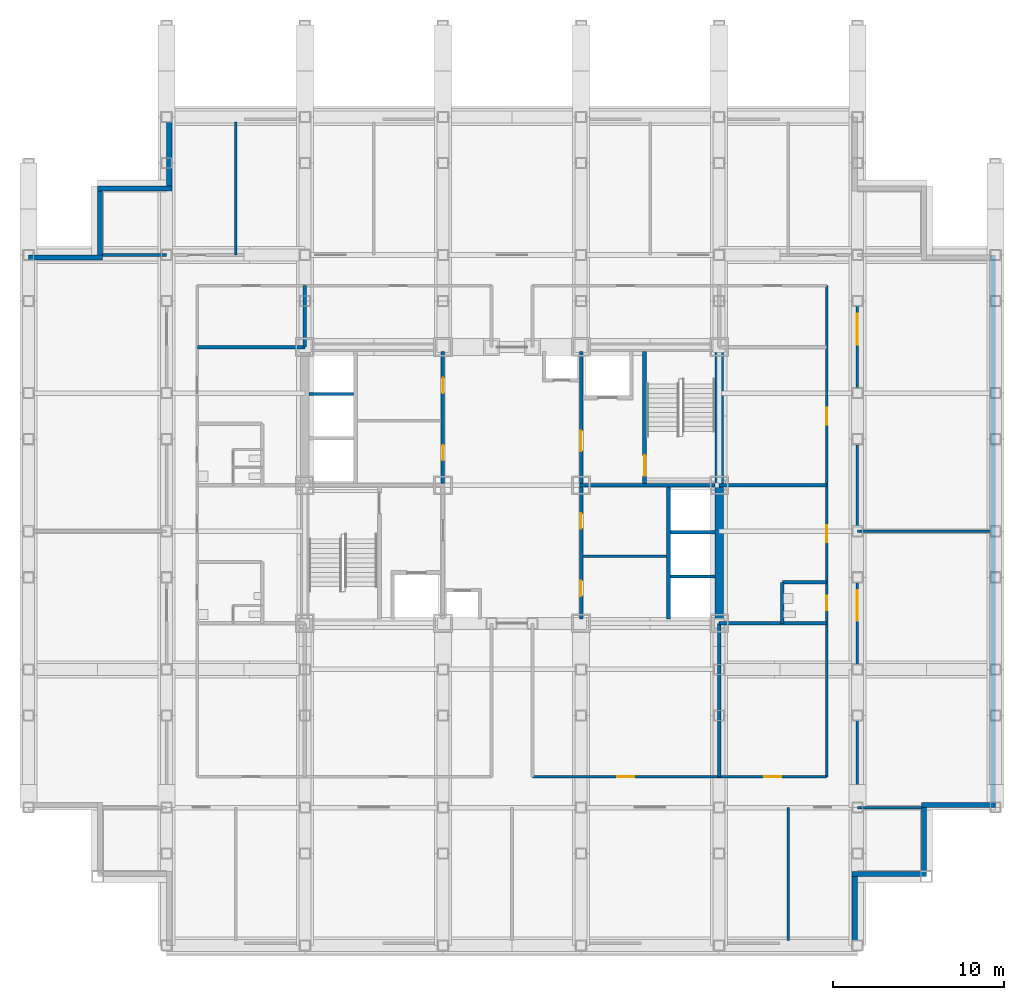
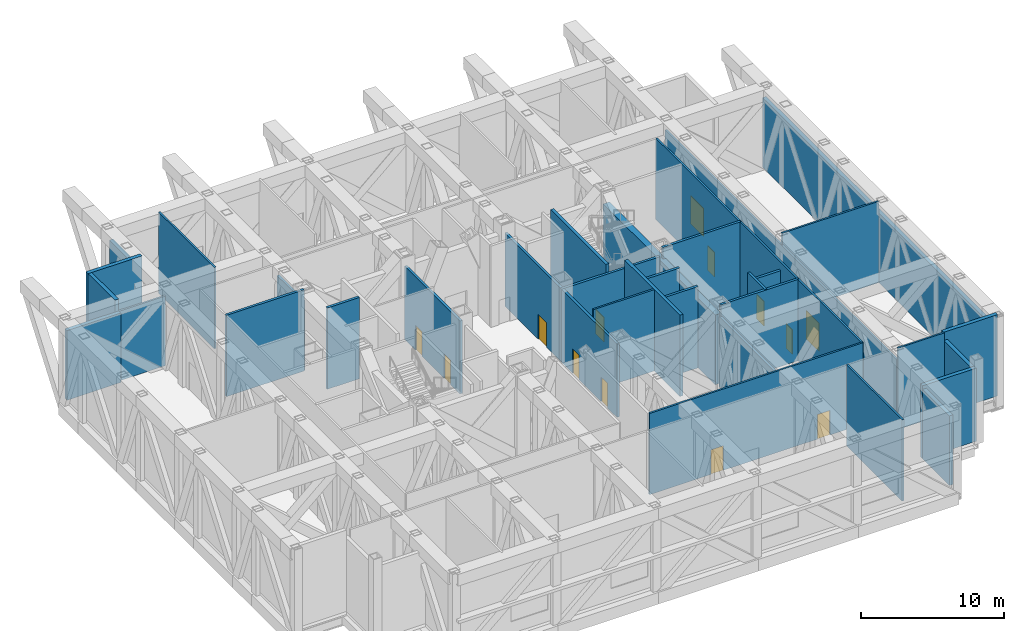
# One storey, part 9 of 13: 35 walls, 13 doors, 13 openings.
"""IFC4 building model written with IfcOpenShell, lengths in metres."""

import ifcopenshell
import ifcopenshell.guid

model = None  # the IFC model being written
_history = None  # IfcOwnerHistory: only IFC2X3 demands one
_inside = {}  # id of a spatial element -> (the spatial element, [elements in it])
_under = {}  # id of a project, library or spatial element -> (it, [spatial elements below it])
_declared = {}  # id of a project -> (the project, [libraries it declares])
_typed = {}  # id of a type object -> (the type object, [elements of that type])
_made_of = {}  # id of a material, layer set ... -> (it, [elements and type objects made of it])


def new_model(schema):
    """Start an empty IFC model of exactly this schema.

    Asked for "IFC4X3", IfcOpenShell would pick the latest addendum, in which some entities
    have other attributes; the version numbers below select the first issue.
    IFC2X3 requires an IfcOwnerHistory on every rooted entity: one is made here for all.
    """
    global model, _history
    if schema == "IFC4X3":
        model = ifcopenshell.file(schema_version=(4, 3, 0, 0))
    else:
        model = ifcopenshell.file(schema=schema)
    _inside.clear()
    _under.clear()
    _declared.clear()
    _typed.clear()
    _made_of.clear()
    _history = None
    if model.schema == "IFC2X3":
        org = make("IfcOrganization", Name="unknown")
        user = make(
            "IfcPersonAndOrganization",
            ThePerson=make("IfcPerson", FamilyName="unknown"),
            TheOrganization=org,
        )
        app = make(
            "IfcApplication",
            ApplicationDeveloper=org,
            Version="unknown",
            ApplicationFullName="unknown",
            ApplicationIdentifier="unknown",
        )
        _history = make(
            "IfcOwnerHistory",
            OwningUser=user,
            OwningApplication=app,
            ChangeAction="ADDED",
            CreationDate=0,
        )
    return model


def make(cls, **values):
    """One entity of the class cls with the attributes given. An attribute that is None is left unset."""
    return model.create_entity(
        cls, **{name: value for name, value in values.items() if value is not None}
    )


def rooted(cls, **values):
    """An entity with a GlobalId (a new one), such as an element, a storey or a relation."""
    return make(cls, GlobalId=ifcopenshell.guid.new(), OwnerHistory=_history, **values)


def si_unit(unit_type, name, prefix=None):
    """IfcSIUnit, for example si_unit("LENGTHUNIT", "METRE", prefix="MILLI")."""
    return make("IfcSIUnit", UnitType=unit_type, Prefix=prefix, Name=name)


def assignment(units):
    """IfcUnitAssignment: the units of a project."""
    return None if units is None else make("IfcUnitAssignment", Units=units)


def point(xyz):
    """IfcCartesianPoint."""
    return None if xyz is None else make("IfcCartesianPoint", Coordinates=xyz)


def direction(xyz):
    """IfcDirection."""
    return None if xyz is None else make("IfcDirection", DirectionRatios=xyz)


def frame(location, z_axis=None, x_axis=None):
    """IfcAxis2Placement3D, a coordinate frame: its origin and axes. An axis left out is left unset."""
    return make(
        "IfcAxis2Placement3D",
        Location=point(location),
        Axis=direction(z_axis),
        RefDirection=direction(x_axis),
    )


def frame_2d(location, x_axis=None):
    """IfcAxis2Placement2D, a coordinate frame in the plane: its origin and x axis."""
    return make(
        "IfcAxis2Placement2D", Location=point(location), RefDirection=direction(x_axis)
    )


def origin():
    """The frame at (0, 0, 0) with its axes left unset."""
    return frame((0.0, 0.0, 0.0))


def place(relative_to, where):
    """IfcLocalPlacement: puts the frame where relative to a parent placement (None: the world)."""
    return make(
        "IfcLocalPlacement", PlacementRelTo=relative_to, RelativePlacement=where
    )


def context(
    kind, dimensions, precision=None, world=None, true_north=None, identifier=None
):
    """IfcGeometricRepresentationContext, for example the 3D "Model" context."""
    return make(
        "IfcGeometricRepresentationContext",
        ContextIdentifier=identifier,
        ContextType=kind,
        CoordinateSpaceDimension=dimensions,
        Precision=precision,
        WorldCoordinateSystem=world,
        TrueNorth=true_north,
    )


def subcontext(parent, identifier, kind, view, scale=None):
    """IfcGeometricRepresentationSubContext, for example "Body" below "Model"."""
    return make(
        "IfcGeometricRepresentationSubContext",
        ContextIdentifier=identifier,
        ContextType=kind,
        ParentContext=parent,
        TargetScale=scale,
        TargetView=view,
    )


def project(units=None, contexts=None):
    """IfcProject with its units and contexts."""
    return rooted(
        "IfcProject",
        Name="project",
        RepresentationContexts=contexts,
        UnitsInContext=assignment(units),
    )


def spatial(cls, under=None, at=None, **own):
    """A site, building, storey or space (cls), placed at a placement, below another one or the project."""
    s = rooted(cls, ObjectPlacement=at, **own)
    if under is not None:
        _under.setdefault(under.id(), (under, []))[1].append(s)
    return s


def profile(cls, at=None, kind="AREA", **sizes):
    """A parametric profile (cls). Its sizes go by their IFC names, for example OverallWidth=200.0."""
    return make(cls, ProfileType=kind, Position=at, **sizes)


def rectangle(**sizes):
    """IfcRectangleProfileDef."""
    return profile("IfcRectangleProfileDef", **sizes)


def extrude(swept, where, along, depth):
    """IfcExtrudedAreaSolid: the profile swept, set in the frame where, extruded along a direction by depth."""
    return make(
        "IfcExtrudedAreaSolid",
        SweptArea=swept,
        Position=where,
        ExtrudedDirection=direction(along),
        Depth=depth,
    )


def shape(context_of_items, identifier, shape_type, items):
    """IfcShapeRepresentation: the items that make up one representation, for example the "Body"."""
    return make(
        "IfcShapeRepresentation",
        ContextOfItems=context_of_items,
        RepresentationIdentifier=identifier,
        RepresentationType=shape_type,
        Items=items,
    )


def material(Name=None, Category=None):
    """IfcMaterial."""
    return make("IfcMaterial", Name=Name, Category=Category)


def layer(
    of_material, thickness, ventilated=None, Name=None, Category=None, Priority=None
):
    """IfcMaterialLayer: one layer of a wall or slab, of a material (None: an air gap)."""
    return make(
        "IfcMaterialLayer",
        Material=of_material,
        LayerThickness=thickness,
        IsVentilated=ventilated,
        Name=Name,
        Category=Category,
        Priority=Priority,
    )


def layer_set(layers, Name=None):
    """IfcMaterialLayerSet."""
    return make("IfcMaterialLayerSet", MaterialLayers=layers, LayerSetName=Name)


def made_of(thing, what):
    """Note that an element or type object is made of a material, layer set ...; save() writes the relation."""
    if what is not None:
        _made_of.setdefault(what.id(), (what, []))[1].append(thing)
    return thing


def type_object(cls, material=None, **own):
    """A type object (cls), such as IfcWallType, which elements share."""
    return made_of(rooted(cls, **own), material)


def element(
    cls,
    number,
    at=None,
    inside=None,
    cuts=None,
    type_object=None,
    material=None,
    context=None,
    identifier="Body",
    shape_type=None,
    held_by="IfcProductDefinitionShape",
    body=None,
    shapes=None,
    **own,
):
    """One element of the class cls, such as IfcWall. Its Tag is "e" and its number.

    at: its placement. inside: the storey or other place that contains it. cuts: it is an
    opening in that element (IfcRelVoidsElement). A single representation is given by context,
    identifier, shape_type and body (its items); several are given by shapes. held_by: the class
    of the entity that holds the representations. save() writes the other relations.
    """
    e = rooted(cls, Tag="e%d" % number, ObjectPlacement=at, **own)
    if body is not None:
        shapes = [shape(context, identifier, shape_type, body)]
    if shapes is not None:
        e.Representation = make(held_by, Representations=shapes)
    if inside is not None:
        _inside.setdefault(inside.id(), (inside, []))[1].append(e)
    if cuts is not None:
        rooted(
            "IfcRelVoidsElement", RelatingBuildingElement=cuts, RelatedOpeningElement=e
        )
    if type_object is not None:
        _typed.setdefault(type_object.id(), (type_object, []))[1].append(e)
    return made_of(e, material)


def fill(opening, filler):
    """IfcRelFillsElement: the door or window that sits in an opening."""
    return rooted(
        "IfcRelFillsElement",
        RelatingOpeningElement=opening,
        RelatedBuildingElement=filler,
    )


def aggregate(whole, parts):
    """IfcRelAggregates: a whole, such as a stair, and the parts it consists of."""
    return rooted("IfcRelAggregates", RelatingObject=whole, RelatedObjects=parts)


def save(model, path):
    """Write the relations noted so far, then the file.

    IfcRelAggregates (storeys below a building ...), IfcRelContainedInSpatialStructure (elements
    in a storey), IfcRelDefinesByType, IfcRelAssociatesMaterial and IfcRelDeclares: one each for
    every whole, place, type object, material and project.
    """
    for whole, parts in _under.values():
        aggregate(whole, parts)
    for where, things in _inside.values():
        rooted(
            "IfcRelContainedInSpatialStructure",
            RelatedElements=things,
            RelatingStructure=where,
        )
    for kind, things in _typed.values():
        rooted("IfcRelDefinesByType", RelatedObjects=things, RelatingType=kind)
    for what, things in _made_of.values():
        rooted("IfcRelAssociatesMaterial", RelatedObjects=things, RelatingMaterial=what)
    for by, libraries in _declared.values():
        rooted("IfcRelDeclares", RelatingContext=by, RelatedDefinitions=libraries)
    model.write(path)


model = new_model("IFC4")

# Units and contexts
model_context = context("Model", 3, precision=1e-05, world=origin(), true_north=direction((0.0, 1.0)))
body_context = subcontext(model_context, "Body", "Model", "MODEL_VIEW")
ifc_project = project(units=[si_unit("LENGTHUNIT", "METRE"), si_unit("AREAUNIT", "SQUARE_METRE"), si_unit("VOLUMEUNIT", "CUBIC_METRE"), si_unit("PLANEANGLEUNIT", "RADIAN"), si_unit("MASSUNIT", "GRAM", prefix="KILO")], contexts=[model_context])

# Site, building, storey
site_placement = place(None, origin())
site = spatial("IfcSite", under=ifc_project, at=site_placement, CompositionType="ELEMENT")
building_placement = place(site_placement, origin())
building = spatial("IfcBuilding", under=site, at=building_placement, Name="Kopane Lantern Tower", CompositionType="ELEMENT")
storey_placement = place(building_placement, frame((0.0, 0.0, 157.800048828125)))
storey = spatial("IfcBuildingStorey", under=building, at=storey_placement, Name="L41", CompositionType="ELEMENT", Elevation=157.800048828125)

# Walls
ifc_material_1 = material(Name="Gypsum shaft wall EI 120", Category="gypsum")
ifc_layer_1 = layer(ifc_material_1, 0.5)
ifc_layer_set_1 = layer_set([ifc_layer_1], Name="CORE PERIMETER WALL 500 EI 120")
wall_type_1 = type_object("IfcWallType", Name="CORE PERIMETER WALL 500 EI 120", PredefinedType="SOLIDWALL", material=ifc_layer_set_1)
wall_1_placement = place(storey_placement, frame((40.5, 24.550048828125, 0.0), z_axis=(0.0, 0.0, 1.0), x_axis=(0.0, 1.0, 0.0)))
element("IfcWall", 1, at=wall_1_placement, inside=storey, type_object=wall_type_1, Name="Core shaft wall L41 PE", PredefinedType="SOLIDWALL", context=body_context, shape_type="SweptSolid", body=[
    extrude(rectangle(XDim=15.699951171875, YDim=0.5, at=frame_2d((7.85009765625, 0.0))), origin(), (0.0, 0.0, 1.0), 5.949951171875),
])
ifc_material_2 = material(Name="Gypsum partition EI 60", Category="gypsum")
ifc_layer_2 = layer(ifc_material_2, 0.14990234375)
ifc_layer_set_2 = layer_set([ifc_layer_2], Name="CORE ROOM PARTITION 150 EI 60")
wall_type_2 = type_object("IfcWallType", Name="CORE ROOM PARTITION 150 EI 60", PredefinedType="PARTITIONING", material=ifc_layer_set_2)
wall_2_placement = place(storey_placement, frame((32.5, 28.22509765625, 0.0), z_axis=(0.0, 0.0, 1.0), x_axis=(1.0, 0.0, 0.0)))
element("IfcWall", 2, at=wall_2_placement, inside=storey, type_object=wall_type_2, Name="Core room partition L41 E1", PredefinedType="PARTITIONING", context=body_context, shape_type="SweptSolid", body=[
    extrude(rectangle(XDim=4.89990234375, YDim=0.14990234375, at=frame_2d((2.449951171875, 0.0))), origin(), (0.0, 0.0, 1.0), 6.949951171875),
])

# Wall, openings, doors
ifc_material_3 = material(Name="Gypsum partition EI 60", Category="gypsum")
ifc_layer_3 = layer(ifc_material_3, 0.199951171875)
ifc_layer_set_3 = layer_set([ifc_layer_3], Name="CORE ROOM WALL 200 EI 60")
wall_type_3 = type_object("IfcWallType", Name="CORE ROOM WALL 200 EI 60", PredefinedType="PARTITIONING", material=ifc_layer_set_3)
wall_3_placement = place(storey_placement, frame((24.300048828125, 32.5, 0.0), z_axis=(0.0, 0.0, 1.0), x_axis=(0.0, 1.0, 0.0)))
wall_3 = element("IfcWall", 3, at=wall_3_placement, inside=storey, type_object=wall_type_3, Name="Core room wall L41 XW", PredefinedType="PARTITIONING", context=body_context, shape_type="SweptSolid", body=[
    extrude(rectangle(XDim=7.75, YDim=0.199951171875, at=frame_2d((3.875, 0.0))), origin(), (0.0, 0.0, 1.0), 6.25),
])
opening_1_placement = place(wall_3_placement, frame((1.35009765625, 0.0, 0.0)))
opening_1 = element("IfcOpeningElement", 4, at=opening_1_placement, cuts=wall_3, Name="Opening 41.C30", PredefinedType="OPENING", context=body_context, shape_type="SweptSolid", body=[
    extrude(rectangle(XDim=0.89990234375, YDim=2.10009765625, at=frame_2d((0.449951171875, 1.050048828125))), frame((0.0, 0.10986328125, 0.0), z_axis=(0.0, -1.0, 0.0), x_axis=(1.0, 0.0, 0.0)), (0.0, 0.0, 1.0), 0.219970703125),
])
opening_2_placement = place(wall_3_placement, frame((5.300048828125, 0.0, 0.0)))
opening_2 = element("IfcOpeningElement", 5, at=opening_2_placement, cuts=wall_3, Name="Opening 41.C31", PredefinedType="OPENING", context=body_context, shape_type="SweptSolid", body=[
    extrude(rectangle(XDim=0.89990234375, YDim=2.10009765625, at=frame_2d((0.449951171875, 1.050048828125))), frame((0.0, 0.10986328125, 0.0), z_axis=(0.0, -1.0, 0.0), x_axis=(1.0, 0.0, 0.0)), (0.0, 0.0, 1.0), 0.219970703125),
])
ifc_material_4 = material(Name="Steel door set", Category="steel")
door_type_1 = type_object("IfcDoorType", Name="CORE ROOM DOOR 900x2100 FD60", OperationType="SINGLE_SWING_LEFT", PredefinedType="DOOR", material=ifc_material_4)
door_1_placement = place(opening_1_placement, origin())
door_1 = element("IfcDoor", 6, at=door_1_placement, inside=storey, type_object=door_type_1, Name="Door Lift control room L41", OperationType="SINGLE_SWING_LEFT", OverallHeight=2.10009765625, OverallWidth=0.89990234375, PredefinedType="DOOR", context=body_context, shape_type="SweptSolid", body=[
    extrude(rectangle(XDim=0.89990234375, YDim=2.10009765625, at=frame_2d((0.449951171875, 1.050048828125))), frame((0.0, 0.02490234375, 0.0), z_axis=(0.0, -1.0, 0.0), x_axis=(1.0, 0.0, 0.0)), (0.0, 0.0, 1.0), 0.050048828125),
])
fill(opening_1, door_1)
door_2_placement = place(opening_2_placement, origin())
door_2 = element("IfcDoor", 7, at=door_2_placement, inside=storey, type_object=door_type_1, Name="Door Plant store L41", OperationType="SINGLE_SWING_LEFT", OverallHeight=2.10009765625, OverallWidth=0.89990234375, PredefinedType="DOOR", context=body_context, shape_type="SweptSolid", body=[
    extrude(rectangle(XDim=0.89990234375, YDim=2.10009765625, at=frame_2d((0.449951171875, 1.050048828125))), frame((0.0, 0.02490234375, 0.0), z_axis=(0.0, -1.0, 0.0), x_axis=(1.0, 0.0, 0.0)), (0.0, 0.0, 1.0), 0.050048828125),
])
fill(opening_2, door_2)

wall_4_placement = place(storey_placement, frame((32.39990234375, 24.550048828125, 0.0), z_axis=(0.0, 0.0, 1.0), x_axis=(0.0, 1.0, 0.0)))
wall_4 = element("IfcWall", 8, at=wall_4_placement, inside=storey, type_object=wall_type_3, Name="Core room wall L41 XE", PredefinedType="PARTITIONING", context=body_context, shape_type="SweptSolid", body=[
    extrude(rectangle(XDim=7.75, YDim=0.199951171875, at=frame_2d((3.875, 0.0))), origin(), (0.0, 0.0, 1.0), 6.25),
])
opening_3_placement = place(wall_4_placement, frame((1.35009765625, 0.0, 0.0)))
opening_3 = element("IfcOpeningElement", 9, at=opening_3_placement, cuts=wall_4, Name="Opening 41.C20", PredefinedType="OPENING", context=body_context, shape_type="SweptSolid", body=[
    extrude(rectangle(XDim=0.89990234375, YDim=2.10009765625, at=frame_2d((0.449951171875, 1.050048828125))), frame((0.0, 0.10986328125, 0.0), z_axis=(0.0, -1.0, 0.0), x_axis=(1.0, 0.0, 0.0)), (0.0, 0.0, 1.0), 0.219970703125),
])
opening_4_placement = place(wall_4_placement, frame((5.300048828125, 0.0, 0.0)))
opening_4 = element("IfcOpeningElement", 10, at=opening_4_placement, cuts=wall_4, Name="Opening 41.C21", PredefinedType="OPENING", context=body_context, shape_type="SweptSolid", body=[
    extrude(rectangle(XDim=0.89990234375, YDim=2.10009765625, at=frame_2d((0.449951171875, 1.050048828125))), frame((0.0, 0.10986328125, 0.0), z_axis=(0.0, -1.0, 0.0), x_axis=(1.0, 0.0, 0.0)), (0.0, 0.0, 1.0), 0.219970703125),
])
door_3_placement = place(opening_3_placement, origin())
door_3 = element("IfcDoor", 11, at=door_3_placement, inside=storey, type_object=door_type_1, Name="Door Electrical room L41", OperationType="SINGLE_SWING_LEFT", OverallHeight=2.10009765625, OverallWidth=0.89990234375, PredefinedType="DOOR", context=body_context, shape_type="SweptSolid", body=[
    extrude(rectangle(XDim=0.89990234375, YDim=2.10009765625, at=frame_2d((0.449951171875, 1.050048828125))), frame((0.0, 0.02490234375, 0.0), z_axis=(0.0, -1.0, 0.0), x_axis=(1.0, 0.0, 0.0)), (0.0, 0.0, 1.0), 0.050048828125),
])
fill(opening_3, door_3)
door_4_placement = place(opening_4_placement, origin())
door_4 = element("IfcDoor", 12, at=door_4_placement, inside=storey, type_object=door_type_1, Name="Door Mechanical plant room L41", OperationType="SINGLE_SWING_LEFT", OverallHeight=2.10009765625, OverallWidth=0.89990234375, PredefinedType="DOOR", context=body_context, shape_type="SweptSolid", body=[
    extrude(rectangle(XDim=0.89990234375, YDim=2.10009765625, at=frame_2d((0.449951171875, 1.050048828125))), frame((0.0, 0.02490234375, 0.0), z_axis=(0.0, -1.0, 0.0), x_axis=(1.0, 0.0, 0.0)), (0.0, 0.0, 1.0), 0.050048828125),
])
fill(opening_4, door_4)

# Wall
ifc_material_5 = material(Name="Gypsum shaft wall EI 120", Category="gypsum")
ifc_layer_4 = layer(ifc_material_5, 0.25)
ifc_layer_set_4 = layer_set([ifc_layer_4], Name="CORE SHAFT WALL 250 EI 120")
wall_type_4 = type_object("IfcWallType", Name="CORE SHAFT WALL 250 EI 120", PredefinedType="SOLIDWALL", material=ifc_layer_set_4)
wall_5_placement = place(storey_placement, frame((37.52490234375, 24.550048828125, 0.0), z_axis=(0.0, 0.0, 1.0), x_axis=(0.0, 1.0, 0.0)))
element("IfcWall", 13, at=wall_5_placement, inside=storey, type_object=wall_type_4, Name="Core shaft wall L41 XLR", PredefinedType="SOLIDWALL", context=body_context, shape_type="SweptSolid", body=[
    extrude(rectangle(XDim=7.75, YDim=0.25, at=frame_2d((3.875, 0.0))), origin(), (0.0, 0.0, 1.0), 6.949951171875),
])

# Wall, opening, door
wall_6_placement = place(storey_placement, frame((36.125, 32.5, 0.0), z_axis=(0.0, 0.0, 1.0), x_axis=(0.0, 1.0, 0.0)))
wall_6 = element("IfcWall", 14, at=wall_6_placement, inside=storey, type_object=wall_type_4, Name="Core shaft wall L41 XST2", PredefinedType="SOLIDWALL", context=body_context, shape_type="SweptSolid", body=[
    extrude(rectangle(XDim=7.75, YDim=0.25, at=frame_2d((3.875, 0.0))), origin(), (0.0, 0.0, 1.0), 6.949951171875),
])
opening_5_placement = place(wall_6_placement, frame((0.449951171875, 0.0, 0.0)))
opening_5 = element("IfcOpeningElement", 15, at=opening_5_placement, cuts=wall_6, Name="Opening 41.SD2", PredefinedType="OPENING", context=body_context, shape_type="SweptSolid", body=[
    extrude(rectangle(XDim=1.199951171875, YDim=2.10009765625, at=frame_2d((0.60009765625, 1.050048828125))), frame((0.0, 0.135009765625, 0.0), z_axis=(0.0, -1.0, 0.0), x_axis=(1.0, 0.0, 0.0)), (0.0, 0.0, 1.0), 0.27001953125),
])
ifc_material_6 = material(Name="Steel door set", Category="steel")
door_type_2 = type_object("IfcDoorType", Name="STAIR DOOR 1200x2100 FD60S", OperationType="SINGLE_SWING_LEFT", PredefinedType="DOOR", material=ifc_material_6)
door_5_placement = place(opening_5_placement, origin())
door_5 = element("IfcDoor", 16, at=door_5_placement, inside=storey, type_object=door_type_2, Name="Stair door ST2 L41", OperationType="SINGLE_SWING_RIGHT", OverallHeight=2.10009765625, OverallWidth=1.199951171875, PredefinedType="DOOR", context=body_context, shape_type="SweptSolid", body=[
    extrude(rectangle(XDim=1.199951171875, YDim=2.10009765625, at=frame_2d((0.60009765625, 1.050048828125))), frame((0.0, 0.02490234375, 0.0), z_axis=(0.0, -1.0, 0.0), x_axis=(1.0, 0.0, 0.0)), (0.0, 0.0, 1.0), 0.050048828125),
])
fill(opening_5, door_5)

# Wall, openings, doors
ifc_material_7 = material(Name="Gypsum board on steel studs", Category="steel")
ifc_layer_5 = layer(ifc_material_7, 0.14990234375)
ifc_layer_set_5 = layer_set([ifc_layer_5], Name="CORRIDOR WALL 150 EI 60")
wall_type_5 = type_object("IfcWallType", Name="CORRIDOR WALL 150 EI 60", PredefinedType="PARTITIONING", material=ifc_layer_set_5)
wall_7_placement = place(storey_placement, frame((48.60009765625, 13.5, 0.0), z_axis=(0.0, 0.0, 1.0), x_axis=(0.0, 1.0, 0.0)))
wall_7 = element("IfcWall", 17, at=wall_7_placement, inside=storey, type_object=wall_type_5, Name="Corridor Wall 150 Ei 60 L41", PredefinedType="PARTITIONING", context=body_context, shape_type="SweptSolid", body=[
    extrude(rectangle(XDim=32.39990234375, YDim=0.14990234375, at=frame_2d((16.199951171875, 0.0))), origin(), (0.0, 0.0, 1.0), 5.949951171875),
])
opening_6_placement = place(wall_7_placement, frame((10.949951171875, 0.0, 0.0)))
opening_6 = element("IfcOpeningElement", 18, at=opening_6_placement, cuts=wall_7, Name="Opening L41-023", PredefinedType="OPENING", context=body_context, shape_type="SweptSolid", body=[
    extrude(rectangle(XDim=1.800048828125, YDim=2.39990234375, at=frame_2d((0.89990234375, 1.199951171875))), frame((0.0, 0.0849609375, 0.0), z_axis=(0.0, -1.0, 0.0), x_axis=(1.0, 0.0, 0.0)), (0.0, 0.0, 1.0), 0.169921875),
])
opening_7_placement = place(wall_7_placement, frame((27.14990234375, 0.0, 0.0)))
opening_7 = element("IfcOpeningElement", 19, at=opening_7_placement, cuts=wall_7, Name="Opening L41-024", PredefinedType="OPENING", context=body_context, shape_type="SweptSolid", body=[
    extrude(rectangle(XDim=1.800048828125, YDim=2.39990234375, at=frame_2d((0.89990234375, 1.199951171875))), frame((0.0, 0.0849609375, 0.0), z_axis=(0.0, -1.0, 0.0), x_axis=(1.0, 0.0, 0.0)), (0.0, 0.0, 1.0), 0.169921875),
])
ifc_material_8 = material(Name="Steel door set", Category="steel")
door_type_3 = type_object("IfcDoorType", Name="DOOR D8 1800x2400 FD120", OperationType="SINGLE_SWING_LEFT", PredefinedType="DOOR", material=ifc_material_8)
door_6_placement = place(opening_6_placement, origin())
door_6 = element("IfcDoor", 20, at=door_6_placement, inside=storey, type_object=door_type_3, Name="Door L41-023", OperationType="DOUBLE_DOOR_SINGLE_SWING", OverallHeight=2.39990234375, OverallWidth=1.800048828125, PredefinedType="DOOR", context=body_context, shape_type="SweptSolid", body=[
    extrude(rectangle(XDim=1.800048828125, YDim=2.39990234375, at=frame_2d((0.89990234375, 1.199951171875))), frame((0.0, 0.02490234375, 0.0), z_axis=(0.0, -1.0, 0.0), x_axis=(1.0, 0.0, 0.0)), (0.0, 0.0, 1.0), 0.050048828125),
])
fill(opening_6, door_6)
door_7_placement = place(opening_7_placement, origin())
door_7 = element("IfcDoor", 21, at=door_7_placement, inside=storey, type_object=door_type_3, Name="Door L41-024", OperationType="DOUBLE_DOOR_SINGLE_SWING", OverallHeight=2.39990234375, OverallWidth=1.800048828125, PredefinedType="DOOR", context=body_context, shape_type="SweptSolid", body=[
    extrude(rectangle(XDim=1.800048828125, YDim=2.39990234375, at=frame_2d((0.89990234375, 1.199951171875))), frame((0.0, 0.02490234375, 0.0), z_axis=(0.0, -1.0, 0.0), x_axis=(1.0, 0.0, 0.0)), (0.0, 0.0, 1.0), 0.050048828125),
])
fill(opening_7, door_7)

wall_8_placement = place(storey_placement, frame((46.800048828125, 15.300048828125, 0.0), z_axis=(0.0, 0.0, 1.0), x_axis=(0.0, 1.0, 0.0)))
wall_8 = element("IfcWall", 22, at=wall_8_placement, inside=storey, type_object=wall_type_5, Name="Corridor Wall 150 Ei 60 L41", PredefinedType="PARTITIONING", context=body_context, shape_type="SweptSolid", body=[
    extrude(rectangle(XDim=28.800048828125, YDim=0.14990234375, at=frame_2d((14.39990234375, 0.0))), origin(), (0.0, 0.0, 1.0), 6.949951171875),
])
opening_8_placement = place(wall_8_placement, frame((9.77490234375, 0.0, 0.0)))
opening_8 = element("IfcOpeningElement", 23, at=opening_8_placement, cuts=wall_8, Name="Opening L41-005", PredefinedType="OPENING", context=body_context, shape_type="SweptSolid", body=[
    extrude(rectangle(XDim=0.85009765625, YDim=2.10009765625, at=frame_2d((0.425048828125, 1.050048828125))), frame((0.0, 0.0849609375, 0.0), z_axis=(0.0, -1.0, 0.0), x_axis=(1.0, 0.0, 0.0)), (0.0, 0.0, 1.0), 0.169921875),
])
opening_9_placement = place(wall_8_placement, frame((13.75, 0.0, 0.0)))
opening_9 = element("IfcOpeningElement", 24, at=opening_9_placement, cuts=wall_8, Name="Opening L41-006", PredefinedType="OPENING", context=body_context, shape_type="SweptSolid", body=[
    extrude(rectangle(XDim=1.0, YDim=2.10009765625, at=frame_2d((0.5, 1.050048828125))), frame((0.0, 0.0849609375, 0.0), z_axis=(0.0, -1.0, 0.0), x_axis=(1.0, 0.0, 0.0)), (0.0, 0.0, 1.0), 0.169921875),
])
opening_10_placement = place(wall_8_placement, frame((20.64990234375, 0.0, 0.0)))
opening_10 = element("IfcOpeningElement", 25, at=opening_10_placement, cuts=wall_8, Name="Opening L41-007", PredefinedType="OPENING", context=body_context, shape_type="SweptSolid", body=[
    extrude(rectangle(XDim=1.0, YDim=2.10009765625, at=frame_2d((0.5, 1.050048828125))), frame((0.0, 0.0849609375, 0.0), z_axis=(0.0, -1.0, 0.0), x_axis=(1.0, 0.0, 0.0)), (0.0, 0.0, 1.0), 0.169921875),
])
ifc_material_9 = material(Name="Timber door set", Category="wood")
door_type_4 = type_object("IfcDoorType", Name="DOOR D4 850x2100", OperationType="SINGLE_SWING_LEFT", PredefinedType="DOOR", material=ifc_material_9)
door_8_placement = place(opening_8_placement, origin())
door_8 = element("IfcDoor", 26, at=door_8_placement, inside=storey, type_object=door_type_4, Name="Door L41-005", OperationType="SINGLE_SWING_LEFT", OverallHeight=2.10009765625, OverallWidth=0.85009765625, PredefinedType="DOOR", context=body_context, shape_type="SweptSolid", body=[
    extrude(rectangle(XDim=0.85009765625, YDim=2.10009765625, at=frame_2d((0.425048828125, 1.050048828125))), frame((0.0, 0.02490234375, 0.0), z_axis=(0.0, -1.0, 0.0), x_axis=(1.0, 0.0, 0.0)), (0.0, 0.0, 1.0), 0.050048828125),
])
fill(opening_8, door_8)
ifc_material_10 = material(Name="Steel door set", Category="steel")
door_type_5 = type_object("IfcDoorType", Name="DOOR D5 1000x2100 FD60", OperationType="SINGLE_SWING_LEFT", PredefinedType="DOOR", material=ifc_material_10)
door_9_placement = place(opening_9_placement, origin())
door_9 = element("IfcDoor", 27, at=door_9_placement, inside=storey, type_object=door_type_5, Name="Door L41-006", OperationType="SINGLE_SWING_RIGHT", OverallHeight=2.10009765625, OverallWidth=1.0, PredefinedType="DOOR", context=body_context, shape_type="SweptSolid", body=[
    extrude(rectangle(XDim=1.0, YDim=2.10009765625, at=frame_2d((0.5, 1.050048828125))), frame((0.0, 0.02490234375, 0.0), z_axis=(0.0, -1.0, 0.0), x_axis=(1.0, 0.0, 0.0)), (0.0, 0.0, 1.0), 0.050048828125),
])
fill(opening_9, door_9)
door_10_placement = place(opening_10_placement, origin())
door_10 = element("IfcDoor", 28, at=door_10_placement, inside=storey, type_object=door_type_5, Name="Door L41-007", OperationType="SINGLE_SWING_LEFT", OverallHeight=2.10009765625, OverallWidth=1.0, PredefinedType="DOOR", context=body_context, shape_type="SweptSolid", body=[
    extrude(rectangle(XDim=1.0, YDim=2.10009765625, at=frame_2d((0.5, 1.050048828125))), frame((0.0, 0.02490234375, 0.0), z_axis=(0.0, -1.0, 0.0), x_axis=(1.0, 0.0, 0.0)), (0.0, 0.0, 1.0), 0.050048828125),
])
fill(opening_10, door_10)

wall_9_placement = place(storey_placement, frame((29.56005859375, 15.300048828125, 0.0), z_axis=(0.0, 0.0, 1.0), x_axis=(1.0, 0.0, 0.0)))
wall_9 = element("IfcWall", 29, at=wall_9_placement, inside=storey, type_object=wall_type_5, Name="Corridor Wall 150 Ei 60 L41", PredefinedType="PARTITIONING", context=body_context, shape_type="SweptSolid", body=[
    extrude(rectangle(XDim=17.239990234375, YDim=0.14990234375, at=frame_2d((8.6201171875, 0.0))), origin(), (0.0, 0.0, 1.0), 6.949951171875),
])
opening_11_placement = place(wall_9_placement, frame((4.965087890625, 0.0, 0.0)))
opening_11 = element("IfcOpeningElement", 30, at=opening_11_placement, cuts=wall_9, Name="Opening L41-010", PredefinedType="OPENING", context=body_context, shape_type="SweptSolid", body=[
    extrude(rectangle(XDim=1.0, YDim=2.10009765625, at=frame_2d((0.5, 1.050048828125))), frame((0.0, 0.0849609375, 0.0), z_axis=(0.0, -1.0, 0.0), x_axis=(1.0, 0.0, 0.0)), (0.0, 0.0, 1.0), 0.169921875),
])
opening_12_placement = place(wall_9_placement, frame((13.590087890625, 0.0, 0.0)))
opening_12 = element("IfcOpeningElement", 31, at=opening_12_placement, cuts=wall_9, Name="Opening L41-011", PredefinedType="OPENING", context=body_context, shape_type="SweptSolid", body=[
    extrude(rectangle(XDim=1.0, YDim=2.10009765625, at=frame_2d((0.5, 1.050048828125))), frame((0.0, 0.0849609375, 0.0), z_axis=(0.0, -1.0, 0.0), x_axis=(1.0, 0.0, 0.0)), (0.0, 0.0, 1.0), 0.169921875),
])
door_11_placement = place(opening_11_placement, origin())
door_11 = element("IfcDoor", 32, at=door_11_placement, inside=storey, type_object=door_type_5, Name="Door L41-010", OperationType="SINGLE_SWING_LEFT", OverallHeight=2.10009765625, OverallWidth=1.0, PredefinedType="DOOR", context=body_context, shape_type="SweptSolid", body=[
    extrude(rectangle(XDim=1.0, YDim=2.10009765625, at=frame_2d((0.5, 1.050048828125))), frame((0.0, 0.02490234375, 0.0), z_axis=(0.0, -1.0, 0.0), x_axis=(1.0, 0.0, 0.0)), (0.0, 0.0, 1.0), 0.050048828125),
])
fill(opening_11, door_11)
door_12_placement = place(opening_12_placement, origin())
door_12 = element("IfcDoor", 33, at=door_12_placement, inside=storey, type_object=door_type_5, Name="Door L41-011", OperationType="SINGLE_SWING_RIGHT", OverallHeight=2.10009765625, OverallWidth=1.0, PredefinedType="DOOR", context=body_context, shape_type="SweptSolid", body=[
    extrude(rectangle(XDim=1.0, YDim=2.10009765625, at=frame_2d((0.5, 1.050048828125))), frame((0.0, 0.02490234375, 0.0), z_axis=(0.0, -1.0, 0.0), x_axis=(1.0, 0.0, 0.0)), (0.0, 0.0, 1.0), 0.050048828125),
])
fill(opening_12, door_12)

# Walls
ifc_material_11 = material(Name="Gypsum board on steel studs", Category="steel")
ifc_layer_6 = layer(ifc_material_11, 0.14990234375)
ifc_layer_set_6 = layer_set([ifc_layer_6], Name="DEMISING WALL 150 EI 60")
wall_type_6 = type_object("IfcWallType", Name="DEMISING WALL 150 EI 60", PredefinedType="PARTITIONING", material=ifc_layer_set_6)
wall_10_placement = place(storey_placement, frame((48.60009765625, 29.699951171875, 0.0), z_axis=(0.0, 0.0, 1.0), x_axis=(1.0, 0.0, 0.0)))
element("IfcWall", 34, at=wall_10_placement, inside=storey, type_object=wall_type_6, Name="Demising Wall 150 Ei 60 L41", PredefinedType="PARTITIONING", context=body_context, shape_type="SweptSolid", body=[
    extrude(rectangle(XDim=7.7998046875, YDim=0.14990234375, at=frame_2d((3.89990234375, 0.0))), origin(), (0.0, 0.0, 1.0), 6.949951171875),
])
wall_11_placement = place(storey_placement, frame((48.60009765625, 13.5, 0.0), z_axis=(0.0, 0.0, 1.0), x_axis=(1.0, 0.0, 0.0)))
element("IfcWall", 35, at=wall_11_placement, inside=storey, type_object=wall_type_6, Name="Demising Wall 150 Ei 60 L41", PredefinedType="PARTITIONING", context=body_context, shape_type="SweptSolid", body=[
    extrude(rectangle(XDim=3.75, YDim=0.14990234375, at=frame_2d((1.875, 0.0))), origin(), (0.0, 0.0, 1.0), 6.949951171875),
])
wall_12_placement = place(storey_placement, frame((44.550048828125, 13.5, 0.0), z_axis=(0.0, 0.0, 1.0), x_axis=(0.0, -1.0, 0.0)))
element("IfcWall", 36, at=wall_12_placement, inside=storey, type_object=wall_type_6, Name="Demising Wall 150 Ei 60 L41", PredefinedType="PARTITIONING", context=body_context, shape_type="SweptSolid", body=[
    extrude(rectangle(XDim=7.800048828125, YDim=0.14990234375, at=frame_2d((3.89990234375, 0.0))), origin(), (0.0, 0.0, 1.0), 6.949951171875),
])
wall_13_placement = place(storey_placement, frame((4.35009765625, 45.89990234375, 0.0), z_axis=(0.0, 0.0, 1.0), x_axis=(1.0, 0.0, 0.0)))
element("IfcWall", 37, at=wall_13_placement, inside=storey, type_object=wall_type_6, Name="Demising Wall 150 Ei 60 L41", PredefinedType="PARTITIONING", context=body_context, shape_type="SweptSolid", body=[
    extrude(rectangle(XDim=3.75, YDim=0.14990234375, at=frame_2d((1.875, 0.0))), origin(), (0.0, 0.0, 1.0), 5.949951171875),
])
wall_14_placement = place(storey_placement, frame((12.14990234375, 45.89990234375, 0.0), z_axis=(0.0, 0.0, 1.0), x_axis=(0.0, 1.0, 0.0)))
element("IfcWall", 38, at=wall_14_placement, inside=storey, type_object=wall_type_6, Name="Demising Wall 150 Ei 60 L41", PredefinedType="PARTITIONING", context=body_context, shape_type="SweptSolid", body=[
    extrude(rectangle(XDim=7.800048828125, YDim=0.14990234375, at=frame_2d((3.89990234375, 0.0))), origin(), (0.0, 0.0, 1.0), 6.949951171875),
])
ifc_material_12 = material(Name="Terracotta rainscreen on light steel framing", Category="masonry")
ifc_layer_7 = layer(ifc_material_12, 0.300048828125)
ifc_layer_set_7 = layer_set([ifc_layer_7], Name="EXTERNAL WALL EW1 300 TERRACOTTA")
wall_type_7 = type_object("IfcWallType", Name="EXTERNAL WALL EW1 300 TERRACOTTA", PredefinedType="SOLIDWALL", material=ifc_layer_set_7)
wall_15_placement = place(storey_placement, frame((48.449951171875, 5.699951171875, 0.0), z_axis=(0.0, 0.0, 1.0), x_axis=(0.0, 1.0, 0.0)))
element("IfcWall", 39, at=wall_15_placement, inside=storey, type_object=wall_type_7, Name="External wall E L41", PredefinedType="SOLIDWALL", context=body_context, shape_type="SweptSolid", body=[
    extrude(rectangle(XDim=3.75, YDim=0.300048828125, at=frame_2d((1.875, 0.0))), origin(), (0.0, 0.0, 1.0), 5.949951171875),
])
wall_16_placement = place(storey_placement, frame((48.300048828125, 9.60009765625, 0.0), z_axis=(0.0, 0.0, 1.0), x_axis=(1.0, 0.0, 0.0)))
element("IfcWall", 40, at=wall_16_placement, inside=storey, type_object=wall_type_7, Name="External wall S L41", PredefinedType="SOLIDWALL", context=body_context, shape_type="SweptSolid", body=[
    extrude(rectangle(XDim=4.349853515625, YDim=0.300048828125, at=frame_2d((2.1748046875, 0.0))), origin(), (0.0, 0.0, 1.0), 6.25),
])
wall_17_placement = place(storey_placement, frame((52.5, 9.75, 0.0), z_axis=(0.0, 0.0, 1.0), x_axis=(0.0, 1.0, 0.0)))
element("IfcWall", 41, at=wall_17_placement, inside=storey, type_object=wall_type_7, Name="External wall E L41", PredefinedType="SOLIDWALL", context=body_context, shape_type="SweptSolid", body=[
    extrude(rectangle(XDim=3.75, YDim=0.300048828125, at=frame_2d((1.875, 0.0))), origin(), (0.0, 0.0, 1.0), 6.25),
])
wall_18_placement = place(storey_placement, frame((52.35009765625, 13.64990234375, 0.0), z_axis=(0.0, 0.0, 1.0), x_axis=(1.0, 0.0, 0.0)))
element("IfcWall", 42, at=wall_18_placement, inside=storey, type_object=wall_type_7, Name="External wall S L41", PredefinedType="SOLIDWALL", context=body_context, shape_type="SweptSolid", body=[
    extrude(rectangle(XDim=4.349853515625, YDim=0.300048828125, at=frame_2d((2.1748046875, 0.0))), origin(), (0.0, 0.0, 1.0), 6.949951171875),
])
wall_19_placement = place(storey_placement, frame((56.550048828125, 13.800048828125, 0.0), z_axis=(0.0, 0.0, 1.0), x_axis=(0.0, 1.0, 0.0)))
element("IfcWall", 43, at=wall_19_placement, inside=storey, type_object=wall_type_7, Name="External wall E L41", PredefinedType="SOLIDWALL", context=body_context, shape_type="SweptSolid", body=[
    extrude(rectangle(XDim=32.099853515625, YDim=0.300048828125, at=frame_2d((16.0498046875, 0.0))), origin(), (0.0, 0.0, 1.0), 5.949951171875),
])
wall_20_placement = place(storey_placement, frame((8.25, 53.699951171875, 0.0), z_axis=(0.0, 0.0, 1.0), x_axis=(0.0, -1.0, 0.0)))
element("IfcWall", 44, at=wall_20_placement, inside=storey, type_object=wall_type_7, Name="External wall W L41", PredefinedType="SOLIDWALL", context=body_context, shape_type="SweptSolid", body=[
    extrude(rectangle(XDim=3.75, YDim=0.300048828125, at=frame_2d((1.875, 0.0))), origin(), (0.0, 0.0, 1.0), 5.949951171875),
])
wall_21_placement = place(storey_placement, frame((8.39990234375, 49.800048828125, 0.0), z_axis=(0.0, 0.0, 1.0), x_axis=(-1.0, 0.0, 0.0)))
element("IfcWall", 45, at=wall_21_placement, inside=storey, type_object=wall_type_7, Name="External wall N L41", PredefinedType="SOLIDWALL", context=body_context, shape_type="SweptSolid", body=[
    extrude(rectangle(XDim=4.349853515625, YDim=0.300048828125, at=frame_2d((2.1748046875, 0.0))), origin(), (0.0, 0.0, 1.0), 6.949951171875),
])
wall_22_placement = place(storey_placement, frame((4.199951171875, 49.64990234375, 0.0), z_axis=(0.0, 0.0, 1.0), x_axis=(0.0, -1.0, 0.0)))
element("IfcWall", 46, at=wall_22_placement, inside=storey, type_object=wall_type_7, Name="External wall W L41", PredefinedType="SOLIDWALL", context=body_context, shape_type="SweptSolid", body=[
    extrude(rectangle(XDim=3.75, YDim=0.300048828125, at=frame_2d((1.875, 0.0))), origin(), (0.0, 0.0, 1.0), 6.949951171875),
])
wall_23_placement = place(storey_placement, frame((4.35009765625, 45.75, 0.0), z_axis=(0.0, 0.0, 1.0), x_axis=(-1.0, 0.0, 0.0)))
element("IfcWall", 47, at=wall_23_placement, inside=storey, type_object=wall_type_7, Name="External wall N L41", PredefinedType="SOLIDWALL", context=body_context, shape_type="SweptSolid", body=[
    extrude(rectangle(XDim=4.35009765625, YDim=0.300048828125, at=frame_2d((2.175048828125, 0.0))), origin(), (0.0, 0.0, 1.0), 5.949951171875),
])
ifc_material_13 = material(Name="Concrete masonry", Category="masonry")
ifc_layer_8 = layer(ifc_material_13, 0.199951171875)
ifc_layer_set_8 = layer_set([ifc_layer_8], Name="PLANT ROOM WALL 200 EI 120")
wall_type_8 = type_object("IfcWallType", Name="PLANT ROOM WALL 200 EI 120", PredefinedType="SOLIDWALL", material=ifc_layer_set_8)
wall_24_placement = place(storey_placement, frame((40.5, 32.39990234375, 0.0), z_axis=(0.0, 0.0, 1.0), x_axis=(1.0, 0.0, 0.0)))
element("IfcWall", 48, at=wall_24_placement, inside=storey, type_object=wall_type_8, Name="Plant Room Wall 200 Ei 120 L41", PredefinedType="SOLIDWALL", context=body_context, shape_type="SweptSolid", body=[
    extrude(rectangle(XDim=6.300048828125, YDim=0.199951171875, at=frame_2d((3.14990234375, 0.0))), origin(), (0.0, 0.0, 1.0), 6.949951171875),
])
wall_25_placement = place(storey_placement, frame((46.800048828125, 26.699951171875, 0.0), z_axis=(0.0, 0.0, 1.0), x_axis=(-1.0, 0.0, 0.0)))
element("IfcWall", 49, at=wall_25_placement, inside=storey, type_object=wall_type_8, Name="Plant Room Wall 200 Ei 120 L41", PredefinedType="SOLIDWALL", context=body_context, shape_type="SweptSolid", body=[
    extrude(rectangle(XDim=2.60009765625, YDim=0.199951171875, at=frame_2d((1.300048828125, 0.0))), origin(), (0.0, 0.0, 1.0), 6.25),
])
wall_26_placement = place(storey_placement, frame((44.199951171875, 24.300048828125, 0.0), z_axis=(0.0, 0.0, 1.0), x_axis=(0.0, 1.0, 0.0)))
element("IfcWall", 50, at=wall_26_placement, inside=storey, type_object=wall_type_8, Name="Plant Room Wall 200 Ei 120 L41", PredefinedType="SOLIDWALL", context=body_context, shape_type="SweptSolid", body=[
    extrude(rectangle(XDim=2.39990234375, YDim=0.199951171875, at=frame_2d((1.199951171875, 0.0))), origin(), (0.0, 0.0, 1.0), 6.949951171875),
])
wall_27_placement = place(storey_placement, frame((40.5, 15.300048828125, 0.0), z_axis=(0.0, 0.0, 1.0), x_axis=(0.0, 1.0, 0.0)))
element("IfcWall", 51, at=wall_27_placement, inside=storey, type_object=wall_type_8, Name="Plant Room Wall 200 Ei 120 L41", PredefinedType="SOLIDWALL", context=body_context, shape_type="SweptSolid", body=[
    extrude(rectangle(XDim=9.0, YDim=0.199951171875, at=frame_2d((4.5, 0.0))), origin(), (0.0, 0.0, 1.0), 5.949951171875),
])
wall_28_placement = place(storey_placement, frame((16.199951171875, 40.5, 0.0), z_axis=(0.0, 0.0, 1.0), x_axis=(0.0, 1.0, 0.0)))
element("IfcWall", 52, at=wall_28_placement, inside=storey, type_object=wall_type_8, Name="Plant Room Wall 200 Ei 120 L41", PredefinedType="SOLIDWALL", context=body_context, shape_type="SweptSolid", body=[
    extrude(rectangle(XDim=3.60009765625, YDim=0.199951171875, at=frame_2d((1.800048828125, 0.0))), origin(), (0.0, 0.0, 1.0), 5.949951171875),
])
for number, where, z_axis, x_axis, name in (
    (53, (9.89990234375, 40.5, 0.0), (0.0, 0.0, 1.0), (1.0, 0.0, 0.0), "Plant Room Wall 200 Ei 120 L41"),
    (54, (40.5, 24.300048828125, 0.0), (0.0, 0.0, 1.0), (1.0, 0.0, 0.0), "Plant Room Wall 200 Ei 120 L41"),
):
    element("IfcWall", number, at=place(storey_placement, frame(where, z_axis=z_axis, x_axis=x_axis)), inside=storey, type_object=wall_type_8, Name=name, PredefinedType="SOLIDWALL", context=body_context, shape_type="SweptSolid", body=[
        extrude(rectangle(XDim=6.300048828125, YDim=0.199951171875, at=frame_2d((3.14990234375, 0.0))), origin(), (0.0, 0.0, 1.0), 6.949951171875),
    ])
ifc_material_14 = material(Name="Gypsum shaft wall EI 120", Category="gypsum")
ifc_layer_9 = layer(ifc_material_14, 0.199951171875)
ifc_layer_set_9 = layer_set([ifc_layer_9], Name="SHAFT WALL 200 EI 120")
wall_type_9 = type_object("IfcWallType", Name="SHAFT WALL 200 EI 120", PredefinedType="SOLIDWALL", material=ifc_layer_set_9)
wall_29_placement = place(storey_placement, frame((16.449951171875, 37.75, 0.0), z_axis=(0.0, 0.0, 1.0), x_axis=(1.0, 0.0, 0.0)))
element("IfcWall", 55, at=wall_29_placement, inside=storey, type_object=wall_type_9, Name="Core shaft wall L41 YLH23", PredefinedType="SOLIDWALL", context=body_context, shape_type="SweptSolid", body=[
    extrude(rectangle(XDim=2.60009765625, YDim=0.199951171875, at=frame_2d((1.300048828125, 0.0))), origin(), (0.0, 0.0, 1.0), 6.949951171875),
])
wall_30_placement = place(storey_placement, frame((32.300048828125, 32.39990234375, 0.0), z_axis=(0.0, 0.0, 1.0), x_axis=(1.0, 0.0, 0.0)))
element("IfcWall", 56, at=wall_30_placement, inside=storey, type_object=wall_type_9, Name="Core shaft wall L41 Y324E", PredefinedType="SOLIDWALL", context=body_context, shape_type="SweptSolid", body=[
    extrude(rectangle(XDim=7.949951171875, YDim=0.199951171875, at=frame_2d((3.97509765625, 0.0))), origin(), (0.0, 0.0, 1.0), 6.25),
])

# Wall, opening, door
wall_31_placement = place(storey_placement, frame((32.39990234375, 32.5, 0.0), z_axis=(0.0, 0.0, 1.0), x_axis=(0.0, 1.0, 0.0)))
wall_31 = element("IfcWall", 57, at=wall_31_placement, inside=storey, type_object=wall_type_9, Name="Core shaft wall L41 X324", PredefinedType="SOLIDWALL", context=body_context, shape_type="SweptSolid", body=[
    extrude(rectangle(XDim=7.75, YDim=0.199951171875, at=frame_2d((3.875, 0.0))), origin(), (0.0, 0.0, 1.0), 6.25),
])
opening_13_placement = place(wall_31_placement, frame((1.89990234375, 0.0, 0.0)))
opening_13 = element("IfcOpeningElement", 58, at=opening_13_placement, cuts=wall_31, Name="Opening 41.FL2", PredefinedType="OPENING", context=body_context, shape_type="SweptSolid", body=[
    extrude(rectangle(XDim=1.199951171875, YDim=2.10009765625, at=frame_2d((0.60009765625, 1.050048828125))), frame((0.0, 0.10986328125, 0.0), z_axis=(0.0, -1.0, 0.0), x_axis=(1.0, 0.0, 0.0)), (0.0, 0.0, 1.0), 0.219970703125),
])
ifc_material_15 = material(Name="Steel door set", Category="steel")
door_type_6 = type_object("IfcDoorType", Name="FIREFIGHTING LOBBY DOOR 1200x2100 FD60S", OperationType="SINGLE_SWING_RIGHT", PredefinedType="DOOR", material=ifc_material_15)
door_13_placement = place(opening_13_placement, origin())
door_13 = element("IfcDoor", 59, at=door_13_placement, inside=storey, type_object=door_type_6, Name="Firefighting lobby door FL2 L41", OperationType="SINGLE_SWING_LEFT", OverallHeight=2.10009765625, OverallWidth=1.199951171875, PredefinedType="DOOR", context=body_context, shape_type="SweptSolid", body=[
    extrude(rectangle(XDim=1.199951171875, YDim=2.10009765625, at=frame_2d((0.60009765625, 1.050048828125))), frame((0.0, 0.02490234375, 0.0), z_axis=(0.0, -1.0, 0.0), x_axis=(1.0, 0.0, 0.0)), (0.0, 0.0, 1.0), 0.050048828125),
])
fill(opening_13, door_13)

# Walls
for number, where, z_axis, x_axis, name in (
    (60, (37.64990234375, 27.050048828125, 0.0), (0.0, 0.0, 1.0), (1.0, 0.0, 0.0), "Core shaft wall L41 YLR12"),
    (61, (37.64990234375, 29.64990234375, 0.0), (0.0, 0.0, 1.0), (1.0, 0.0, 0.0), "Core shaft wall L41 YLR23"),
):
    element("IfcWall", number, at=place(storey_placement, frame(where, z_axis=z_axis, x_axis=x_axis)), inside=storey, type_object=wall_type_9, Name=name, PredefinedType="SOLIDWALL", context=body_context, shape_type="SweptSolid", body=[
        extrude(rectangle(XDim=2.60009765625, YDim=0.199951171875, at=frame_2d((1.300048828125, 0.0))), origin(), (0.0, 0.0, 1.0), 6.949951171875),
    ])

save(model, "model.ifc")
